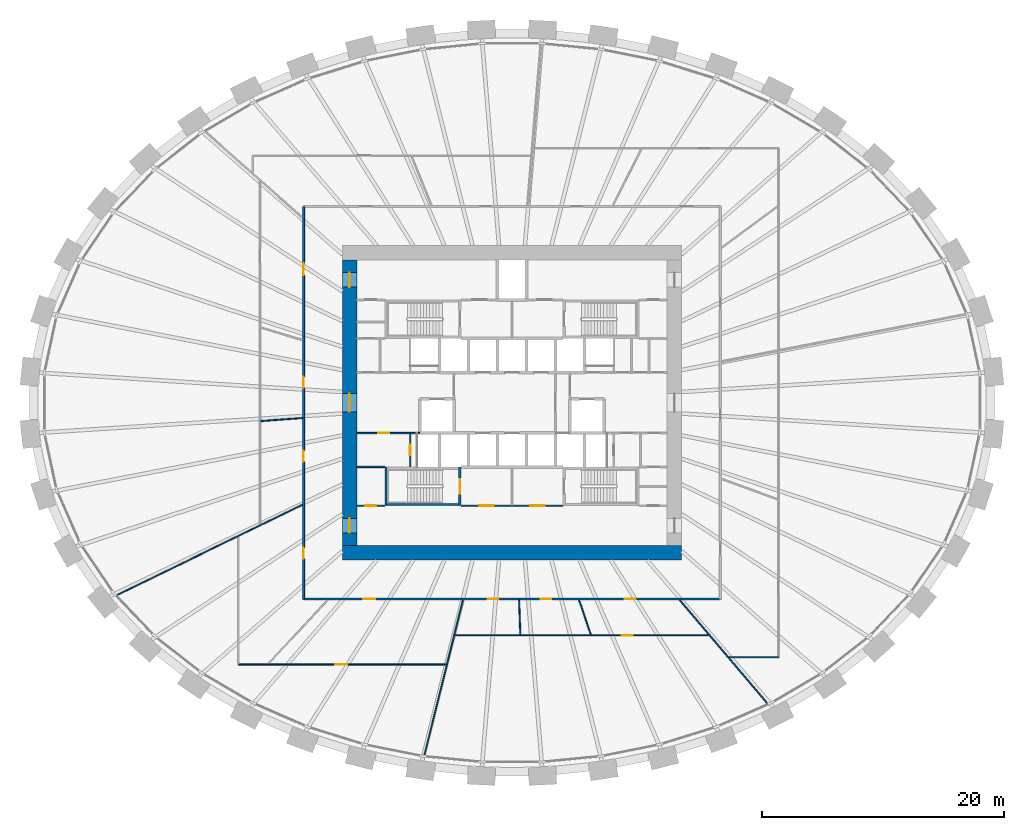
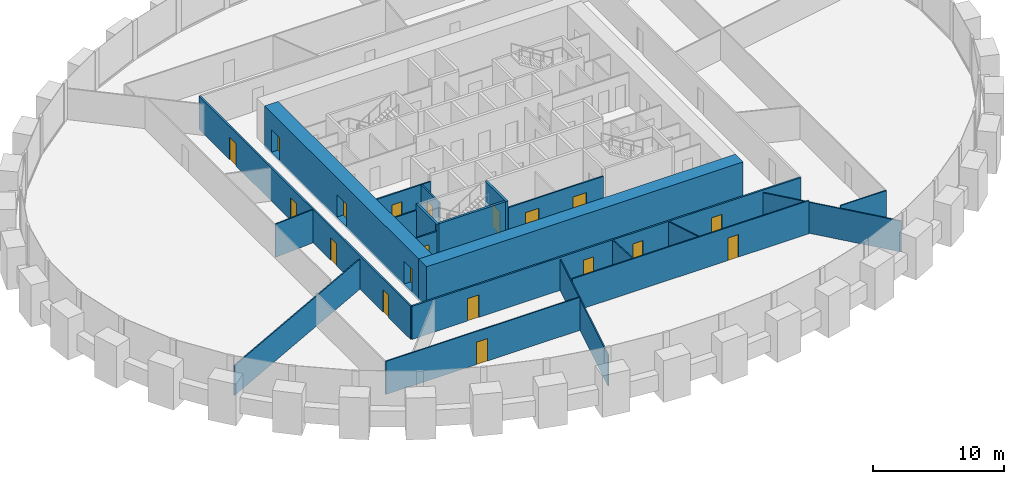
# One storey, part 6 of 10: 21 walls, 19 doors, 19 openings.
"""IFC4 building model written with IfcOpenShell, lengths in metres."""

from ifc_helpers import new_model, si_unit, direction, frame, frame_2d, origin, place, context, subcontext, project, spatial, rectangle, extrude, source, transform, mapped, material, layer, layer_set, type_object, element, fill, save


model = new_model("IFC4")

# Units and contexts
model_context = context("Model", 3, precision=1e-05, world=origin(), true_north=direction((0.0, 1.0)))
body_context = subcontext(model_context, "Body", "Model", "MODEL_VIEW")
ifc_project = project(units=[si_unit("LENGTHUNIT", "METRE"), si_unit("AREAUNIT", "SQUARE_METRE"), si_unit("VOLUMEUNIT", "CUBIC_METRE"), si_unit("PLANEANGLEUNIT", "RADIAN"), si_unit("MASSUNIT", "GRAM", prefix="KILO")], contexts=[model_context])

# Site, building, storey
site_placement = place(None, origin())
site = spatial("IfcSite", under=ifc_project, at=site_placement, CompositionType="ELEMENT")
building_placement = place(site_placement, origin())
building = spatial("IfcBuilding", under=site, at=building_placement, Name="Embergate Tower", CompositionType="ELEMENT")
storey_placement = place(building_placement, frame((0.0, 0.0, 117.199951171875)))
storey = spatial("IfcBuildingStorey", under=building, at=storey_placement, Name="L25", CompositionType="ELEMENT", Elevation=117.199951171875)

# Wall
ifc_material_1 = material(Name="Concrete C80", Category="concrete")
ifc_layer_1 = layer(ifc_material_1, 1.199951171875)
ifc_layer_set_1 = layer_set([ifc_layer_1], Name="Concrete C80")
wall_type_1 = type_object("IfcWallType", Name="Core outer wall C80 1200", PredefinedType="SHEAR", material=ifc_layer_set_1)
shared_shape_1 = source(origin(), body_context, "Body", "SweptSolid", [
    extrude(rectangle(XDim=28.0, YDim=1.199951171875, at=frame_2d((14.0, 0.0))), origin(), (0.0, 0.0, 1.0), 3.89990234375),
])
wall_1_placement = place(storey_placement, frame((-14.0, -12.39990234375, -0.199951171875), z_axis=(0.0, 0.0, 1.0), x_axis=(1.0, 0.0, 0.0)))
element("IfcWall", 1, at=wall_1_placement, inside=storey, type_object=wall_type_1, Name="CW-L25-S", PredefinedType="SHEAR", context=body_context, shape_type="MappedRepresentation", body=[
    mapped(shared_shape_1, transform((0.0, 0.0, 0.0))),
])

# Wall, openings, doors
shared_shape_2 = source(origin(), body_context, "Body", "SweptSolid", [
    extrude(rectangle(XDim=23.60009765625, YDim=1.199951171875, at=frame_2d((11.800048828125, 0.0))), origin(), (0.0, 0.0, 1.0), 3.89990234375),
])
wall_2_placement = place(storey_placement, frame((-13.39990234375, -11.800048828125, -0.199951171875), z_axis=(0.0, 0.0, 1.0), x_axis=(0.0, 1.0, 0.0)))
wall_2 = element("IfcWall", 2, at=wall_2_placement, inside=storey, type_object=wall_type_1, Name="CW-L25-W", PredefinedType="SHEAR", context=body_context, shape_type="MappedRepresentation", body=[
    mapped(shared_shape_2, transform((0.0, 0.0, 0.0))),
])
shared_shape_3 = source(origin(), body_context, "Body", "SweptSolid", [
    extrude(rectangle(XDim=1.199951171875, YDim=2.10009765625, at=frame_2d((0.60009765625, 1.050048828125))), frame((0.0, 0.60986328125, 0.0), z_axis=(0.0, -1.0, 0.0), x_axis=(1.0, 0.0, 0.0)), (0.0, 0.0, 1.0), 1.219970703125),
])
opening_1_placement = place(wall_2_placement, frame((21.35009765625, 0.0, 0.199951171875)))
opening_1 = element("IfcOpeningElement", 3, at=opening_1_placement, cuts=wall_2, Name="Opening IF-1", PredefinedType="OPENING", context=body_context, shape_type="MappedRepresentation", body=[
    mapped(shared_shape_3, transform((0.0, 0.0, 0.0))),
])
opening_2_placement = place(wall_2_placement, frame((1.050048828125, 0.0, 0.199951171875)))
opening_2 = element("IfcOpeningElement", 4, at=opening_2_placement, cuts=wall_2, Name="Opening IF-1", PredefinedType="OPENING", context=body_context, shape_type="MappedRepresentation", body=[
    mapped(shared_shape_3, transform((0.0, 0.0, 0.0))),
])
shared_shape_4 = source(origin(), body_context, "Body", "SweptSolid", [
    extrude(rectangle(XDim=1.5, YDim=2.10009765625, at=frame_2d((0.75, 1.050048828125))), frame((0.0, 0.60986328125, 0.0), z_axis=(0.0, -1.0, 0.0), x_axis=(1.0, 0.0, 0.0)), (0.0, 0.0, 1.0), 1.219970703125),
])
opening_3_placement = place(wall_2_placement, frame((11.050048828125, 0.0, 0.199951171875)))
opening_3 = element("IfcOpeningElement", 5, at=opening_3_placement, cuts=wall_2, Name="Opening IF-3", PredefinedType="OPENING", context=body_context, shape_type="MappedRepresentation", body=[
    mapped(shared_shape_4, transform((0.0, 0.0, 0.0))),
])
ifc_material_2 = material(Name="Escape fire door 1200")
door_type_1 = type_object("IfcDoorType", Name="Escape fire door 1200", OperationType="SINGLE_SWING_LEFT", PredefinedType="DOOR", material=ifc_material_2)
shared_shape_5 = source(origin(), body_context, "Body", "SweptSolid", [
    extrude(rectangle(XDim=1.199951171875, YDim=2.10009765625, at=frame_2d((0.60009765625, 1.050048828125))), frame((0.0, 0.02490234375, 0.0), z_axis=(0.0, -1.0, 0.0), x_axis=(1.0, 0.0, 0.0)), (0.0, 0.0, 1.0), 0.050048828125),
])
door_1_placement = place(opening_1_placement, origin())
door_1 = element("IfcDoor", 6, at=door_1_placement, inside=storey, type_object=door_type_1, Name="IF-1 door", OperationType="SINGLE_SWING_RIGHT", OverallHeight=2.10009765625, OverallWidth=1.199951171875, PredefinedType="DOOR", context=body_context, shape_type="MappedRepresentation", body=[
    mapped(shared_shape_5, transform((0.0, 0.0, 0.0))),
])
fill(opening_1, door_1)
door_2_placement = place(opening_2_placement, origin())
door_2 = element("IfcDoor", 7, at=door_2_placement, inside=storey, type_object=door_type_1, Name="IF-1 door", OperationType="SINGLE_SWING_LEFT", OverallHeight=2.10009765625, OverallWidth=1.199951171875, PredefinedType="DOOR", context=body_context, shape_type="MappedRepresentation", body=[
    mapped(shared_shape_5, transform((0.0, 0.0, 0.0))),
])
fill(opening_2, door_2)
ifc_material_3 = material(Name="Lobby fire door pair 1500")
door_type_2 = type_object("IfcDoorType", Name="Lobby fire door pair 1500", OperationType="DOUBLE_DOOR_SINGLE_SWING", PredefinedType="DOOR", material=ifc_material_3)
shared_shape_6 = source(origin(), body_context, "Body", "SweptSolid", [
    extrude(rectangle(XDim=1.5, YDim=2.10009765625, at=frame_2d((0.75, 1.050048828125))), frame((0.0, 0.02490234375, 0.0), z_axis=(0.0, -1.0, 0.0), x_axis=(1.0, 0.0, 0.0)), (0.0, 0.0, 1.0), 0.050048828125),
])
door_3_placement = place(opening_3_placement, origin())
door_3 = element("IfcDoor", 8, at=door_3_placement, inside=storey, type_object=door_type_2, Name="IF-3 door", OperationType="DOUBLE_DOOR_SINGLE_SWING", OverallHeight=2.10009765625, OverallWidth=1.5, PredefinedType="DOOR", context=body_context, shape_type="MappedRepresentation", body=[
    mapped(shared_shape_6, transform((0.0, 0.0, 0.0))),
])
fill(opening_3, door_3)

# Wall
ifc_material_4 = material(Name="Concrete C50", Category="concrete")
ifc_layer_2 = layer(ifc_material_4, 0.199951171875)
ifc_layer_set_2 = layer_set([ifc_layer_2], Name="Concrete C50")
wall_type_2 = type_object("IfcWallType", Name="Stair enclosure wall reinforced concrete 250", PredefinedType="SHEAR", material=ifc_layer_set_2)
shared_shape_7 = source(origin(), body_context, "Body", "SweptSolid", [
    extrude(rectangle(XDim=6.300048828125, YDim=0.199951171875, at=frame_2d((3.14990234375, 0.0))), origin(), (0.0, 0.0, 1.0), 3.699951171875),
])
wall_3_placement = place(storey_placement, frame((-10.5, -8.39990234375, 0.0), z_axis=(0.0, 0.0, 1.0), x_axis=(1.0, 0.0, 0.0)))
element("IfcWall", 9, at=wall_3_placement, inside=storey, type_object=wall_type_2, Name="SE-1 wall", PredefinedType="SHEAR", context=body_context, shape_type="MappedRepresentation", body=[
    mapped(shared_shape_7, transform((0.0, 0.0, 0.0))),
])

# Wall, opening, door
ifc_material_5 = material(Name="Core partition blockwork 120")
ifc_layer_3 = layer(ifc_material_5, 0.1201171875)
ifc_layer_set_3 = layer_set([ifc_layer_3], Name="Core partition blockwork 120")
wall_type_3 = type_object("IfcWallType", Name="Core partition blockwork 120", PredefinedType="PARTITIONING", material=ifc_layer_set_3)
shared_shape_8 = source(origin(), body_context, "Body", "SweptSolid", [
    extrude(rectangle(XDim=2.739990234375, YDim=0.1201171875, at=frame_2d((1.3701171875, 0.0))), origin(), (0.0, 0.0, 1.0), 3.10009765625),
])
wall_4_placement = place(storey_placement, frame((-8.39990234375, -2.56005859375, 0.0), z_axis=(0.0, 0.0, 1.0), x_axis=(0.0, -1.0, 0.0)))
wall_4 = element("IfcWall", 10, at=wall_4_placement, inside=storey, type_object=wall_type_3, Name="IP-3 wall", PredefinedType="PARTITIONING", context=body_context, shape_type="MappedRepresentation", body=[
    mapped(shared_shape_8, transform((0.0, 0.0, 0.0))),
])
shared_shape_9 = source(origin(), body_context, "Body", "SweptSolid", [
    extrude(rectangle(XDim=0.89990234375, YDim=2.10009765625, at=frame_2d((0.449951171875, 1.050048828125))), frame((0.0, 0.070068359375, 0.0), z_axis=(0.0, -1.0, 0.0), x_axis=(1.0, 0.0, 0.0)), (0.0, 0.0, 1.0), 0.14013671875),
])
opening_4_placement = place(wall_4_placement, frame((0.889892578125, 0.0, 0.0)))
opening_4 = element("IfcOpeningElement", 11, at=opening_4_placement, cuts=wall_4, Name="Opening ID-1", PredefinedType="OPENING", context=body_context, shape_type="MappedRepresentation", body=[
    mapped(shared_shape_9, transform((0.0, 0.0, 0.0))),
])
ifc_material_6 = material(Name="Interior door 900")
door_type_3 = type_object("IfcDoorType", Name="Interior door 900", OperationType="SINGLE_SWING_LEFT", PredefinedType="DOOR", material=ifc_material_6)
shared_shape_10 = source(origin(), body_context, "Body", "SweptSolid", [
    extrude(rectangle(XDim=0.89990234375, YDim=2.10009765625, at=frame_2d((0.449951171875, 1.050048828125))), frame((0.0, 0.02490234375, 0.0), z_axis=(0.0, -1.0, 0.0), x_axis=(1.0, 0.0, 0.0)), (0.0, 0.0, 1.0), 0.050048828125),
])
door_4_placement = place(opening_4_placement, origin())
door_4 = element("IfcDoor", 12, at=door_4_placement, inside=storey, type_object=door_type_3, Name="ID-1 door", OperationType="SINGLE_SWING_RIGHT", OverallHeight=2.10009765625, OverallWidth=0.89990234375, PredefinedType="DOOR", context=body_context, shape_type="MappedRepresentation", body=[
    mapped(shared_shape_10, transform((0.0, 0.0, 0.0))),
])
fill(opening_4, door_4)

shared_shape_11 = source(origin(), body_context, "Body", "SweptSolid", [
    extrude(rectangle(XDim=5.199951171875, YDim=0.1201171875, at=frame_2d((2.60009765625, 0.0))), origin(), (0.0, 0.0, 1.0), 3.10009765625),
])
wall_5_placement = place(storey_placement, frame((-7.60009765625, -2.5, 0.0), z_axis=(0.0, 0.0, 1.0), x_axis=(-1.0, 0.0, 0.0)))
wall_5 = element("IfcWall", 13, at=wall_5_placement, inside=storey, type_object=wall_type_3, Name="IP-3 wall", PredefinedType="PARTITIONING", context=body_context, shape_type="MappedRepresentation", body=[
    mapped(shared_shape_11, transform((0.0, 0.0, 0.0))),
])
opening_5_placement = place(wall_5_placement, frame((2.550048828125, 0.0, 0.0)))
opening_5 = element("IfcOpeningElement", 14, at=opening_5_placement, cuts=wall_5, Name="Opening ID-1", PredefinedType="OPENING", context=body_context, shape_type="MappedRepresentation", body=[
    mapped(shared_shape_9, transform((0.0, 0.0, 0.0))),
])
door_5_placement = place(opening_5_placement, origin())
door_5 = element("IfcDoor", 15, at=door_5_placement, inside=storey, type_object=door_type_3, Name="ID-1 door", OperationType="SINGLE_SWING_RIGHT", OverallHeight=2.10009765625, OverallWidth=0.89990234375, PredefinedType="DOOR", context=body_context, shape_type="MappedRepresentation", body=[
    mapped(shared_shape_10, transform((0.0, 0.0, 0.0))),
])
fill(opening_5, door_5)

shared_shape_12 = source(origin(), body_context, "Body", "SweptSolid", [
    extrude(rectangle(XDim=3.199951171875, YDim=0.199951171875, at=frame_2d((1.60009765625, 0.0))), origin(), (0.0, 0.0, 1.0), 3.699951171875),
])
wall_6_placement = place(storey_placement, frame((-4.300048828125, -8.5, 0.0), z_axis=(0.0, 0.0, 1.0), x_axis=(0.0, 1.0, 0.0)))
wall_6 = element("IfcWall", 16, at=wall_6_placement, inside=storey, type_object=wall_type_2, Name="SE-1 wall", PredefinedType="SHEAR", context=body_context, shape_type="MappedRepresentation", body=[
    mapped(shared_shape_12, transform((0.0, 0.0, 0.0))),
])
shared_shape_13 = source(origin(), body_context, "Body", "SweptSolid", [
    extrude(rectangle(XDim=1.199951171875, YDim=2.10009765625, at=frame_2d((0.60009765625, 1.050048828125))), frame((0.0, 0.10986328125, 0.0), z_axis=(0.0, -1.0, 0.0), x_axis=(1.0, 0.0, 0.0)), (0.0, 0.0, 1.0), 0.219970703125),
])
opening_6_placement = place(wall_6_placement, frame((1.0, 0.0, 0.0)))
opening_6 = element("IfcOpeningElement", 17, at=opening_6_placement, cuts=wall_6, Name="Opening IF-2", PredefinedType="OPENING", context=body_context, shape_type="MappedRepresentation", body=[
    mapped(shared_shape_13, transform((0.0, 0.0, 0.0))),
])
ifc_material_7 = material(Name="Stair enclosure door 1200")
door_type_4 = type_object("IfcDoorType", Name="Stair enclosure door 1200", OperationType="SINGLE_SWING_LEFT", PredefinedType="DOOR", material=ifc_material_7)
door_6_placement = place(opening_6_placement, origin())
door_6 = element("IfcDoor", 18, at=door_6_placement, inside=storey, type_object=door_type_4, Name="IF-2 door", OperationType="SINGLE_SWING_LEFT", OverallHeight=2.10009765625, OverallWidth=1.199951171875, PredefinedType="DOOR", context=body_context, shape_type="MappedRepresentation", body=[
    mapped(shared_shape_5, transform((0.0, 0.0, 0.0))),
])
fill(opening_6, door_6)

# Wall
wall_7_placement = place(storey_placement, frame((-10.39990234375, -5.300048828125, 0.0), z_axis=(0.0, 0.0, 1.0), x_axis=(0.0, -1.0, 0.0)))
element("IfcWall", 19, at=wall_7_placement, inside=storey, type_object=wall_type_2, Name="SE-1 wall", PredefinedType="SHEAR", context=body_context, shape_type="MappedRepresentation", body=[
    mapped(shared_shape_12, transform((0.0, 0.0, 0.0))),
])

# Wall, openings, doors
shared_shape_14 = source(origin(), body_context, "Body", "SweptSolid", [
    extrude(rectangle(XDim=8.39990234375, YDim=0.1201171875, at=frame_2d((4.199951171875, 0.0))), origin(), (0.0, 0.0, 1.0), 3.10009765625),
])
wall_8_placement = place(storey_placement, frame((-4.199951171875, -8.5, 0.0), z_axis=(0.0, 0.0, 1.0), x_axis=(1.0, 0.0, 0.0)))
wall_8 = element("IfcWall", 20, at=wall_8_placement, inside=storey, type_object=wall_type_3, Name="IP-3 wall", PredefinedType="PARTITIONING", context=body_context, shape_type="MappedRepresentation", body=[
    mapped(shared_shape_14, transform((0.0, 0.0, 0.0))),
])
shared_shape_15 = source(origin(), body_context, "Body", "SweptSolid", [
    extrude(rectangle(XDim=1.199951171875, YDim=2.10009765625, at=frame_2d((0.60009765625, 1.050048828125))), frame((0.0, 0.070068359375, 0.0), z_axis=(0.0, -1.0, 0.0), x_axis=(1.0, 0.0, 0.0)), (0.0, 0.0, 1.0), 0.14013671875),
])
opening_7_placement = place(wall_8_placement, frame((1.5, 0.0, 0.0)))
opening_7 = element("IfcOpeningElement", 21, at=opening_7_placement, cuts=wall_8, Name="Opening IF-3f", PredefinedType="OPENING", context=body_context, shape_type="MappedRepresentation", body=[
    mapped(shared_shape_15, transform((0.0, 0.0, 0.0))),
])
opening_8_placement = place(wall_8_placement, frame((5.699951171875, 0.0, 0.0)))
opening_8 = element("IfcOpeningElement", 22, at=opening_8_placement, cuts=wall_8, Name="Opening IF-3f", PredefinedType="OPENING", context=body_context, shape_type="MappedRepresentation", body=[
    mapped(shared_shape_15, transform((0.0, 0.0, 0.0))),
])
ifc_material_8 = material(Name="Lobby fire door pair 1200")
door_type_5 = type_object("IfcDoorType", Name="Lobby fire door pair 1200", OperationType="DOUBLE_DOOR_SINGLE_SWING", PredefinedType="DOOR", material=ifc_material_8)
door_7_placement = place(opening_7_placement, origin())
door_7 = element("IfcDoor", 23, at=door_7_placement, inside=storey, type_object=door_type_5, Name="IF-3 door", OperationType="DOUBLE_DOOR_SINGLE_SWING", OverallHeight=2.10009765625, OverallWidth=1.199951171875, PredefinedType="DOOR", context=body_context, shape_type="MappedRepresentation", body=[
    mapped(shared_shape_5, transform((0.0, 0.0, 0.0))),
])
fill(opening_7, door_7)
door_8_placement = place(opening_8_placement, origin())
door_8 = element("IfcDoor", 24, at=door_8_placement, inside=storey, type_object=door_type_5, Name="IF-3 door", OperationType="DOUBLE_DOOR_SINGLE_SWING", OverallHeight=2.10009765625, OverallWidth=1.199951171875, PredefinedType="DOOR", context=body_context, shape_type="MappedRepresentation", body=[
    mapped(shared_shape_5, transform((0.0, 0.0, 0.0))),
])
fill(opening_8, door_8)

# Wall, opening, door
shared_shape_16 = source(origin(), body_context, "Body", "SweptSolid", [
    extrude(rectangle(XDim=2.300048828125, YDim=0.1201171875, at=frame_2d((1.14990234375, 0.0))), origin(), (0.0, 0.0, 1.0), 3.10009765625),
])
wall_9_placement = place(storey_placement, frame((-10.5, -8.5, 0.0), z_axis=(0.0, 0.0, 1.0), x_axis=(-1.0, 0.0, 0.0)))
wall_9 = element("IfcWall", 25, at=wall_9_placement, inside=storey, type_object=wall_type_3, Name="IP-3 wall", PredefinedType="PARTITIONING", context=body_context, shape_type="MappedRepresentation", body=[
    mapped(shared_shape_16, transform((0.0, 0.0, 0.0))),
])
opening_9_placement = place(wall_9_placement, frame((0.699951171875, 0.0, 0.0)))
opening_9 = element("IfcOpeningElement", 26, at=opening_9_placement, cuts=wall_9, Name="Opening ID-1", PredefinedType="OPENING", context=body_context, shape_type="MappedRepresentation", body=[
    mapped(shared_shape_9, transform((0.0, 0.0, 0.0))),
])
door_9_placement = place(opening_9_placement, origin())
door_9 = element("IfcDoor", 27, at=door_9_placement, inside=storey, type_object=door_type_3, Name="ID-1 door", OperationType="SINGLE_SWING_LEFT", OverallHeight=2.10009765625, OverallWidth=0.89990234375, PredefinedType="DOOR", context=body_context, shape_type="MappedRepresentation", body=[
    mapped(shared_shape_10, transform((0.0, 0.0, 0.0))),
])
fill(opening_9, door_9)

# Walls
wall_10_placement = place(storey_placement, frame((-12.800048828125, -5.300048828125, 0.0), z_axis=(0.0, 0.0, 1.0), x_axis=(1.0, 0.0, 0.0)))
element("IfcWall", 28, at=wall_10_placement, inside=storey, type_object=wall_type_3, Name="IP-3 wall", PredefinedType="PARTITIONING", context=body_context, shape_type="MappedRepresentation", body=[
    mapped(shared_shape_16, transform((0.0, 0.0, 0.0))),
])
ifc_material_9 = material(Name="Partition dry-lined 100 wet")
ifc_layer_4 = layer(ifc_material_9, 0.10009765625)
ifc_layer_set_4 = layer_set([ifc_layer_4], Name="Partition dry-lined 100 wet")
wall_type_4 = type_object("IfcWallType", Name="Partition dry-lined 100 wet", PredefinedType="PLUMBINGWALL", material=ifc_layer_set_4)
shared_shape_17 = source(origin(), body_context, "Body", "SweptSolid", [
    extrude(rectangle(XDim=2.876953125, YDim=0.10009765625, at=frame_2d((1.4384765625, 0.0))), origin(), (0.0, 0.0, 1.0), 3.10009765625),
])
wall_11_placement = place(storey_placement, frame((0.5849609375, -16.27490234375, 0.0), z_axis=(0.0, 0.0, 1.0), x_axis=(0.035812610105, -0.999358522732, 0.0)))
element("IfcWall", 29, at=wall_11_placement, inside=storey, type_object=wall_type_4, Name="IP-1 wall", PredefinedType="PLUMBINGWALL", context=body_context, shape_type="MappedRepresentation", body=[
    mapped(shared_shape_17, transform((0.0, 0.0, 0.0))),
])

# Wall, openings, doors
ifc_material_10 = material(Name="Corridor wall dry-lined 150")
ifc_layer_5 = layer(ifc_material_10, 0.14990234375)
ifc_layer_set_5 = layer_set([ifc_layer_5], Name="Corridor wall dry-lined 150")
wall_type_5 = type_object("IfcWallType", Name="Corridor wall dry-lined 150", PredefinedType="PARTITIONING", material=ifc_layer_set_5)
shared_shape_18 = source(origin(), body_context, "Body", "SweptSolid", [
    extrude(rectangle(XDim=34.39990234375, YDim=0.14990234375, at=frame_2d((17.199951171875, 0.0))), origin(), (0.0, 0.0, 1.0), 3.10009765625),
])
wall_12_placement = place(storey_placement, frame((17.199951171875, -16.199951171875, 0.0), z_axis=(0.0, 0.0, 1.0), x_axis=(-1.0, 0.0, 0.0)))
wall_12 = element("IfcWall", 30, at=wall_12_placement, inside=storey, type_object=wall_type_5, Name="IP-2 wall", PredefinedType="PARTITIONING", context=body_context, shape_type="MappedRepresentation", body=[
    mapped(shared_shape_18, transform((0.0, 0.0, 0.0))),
])
shared_shape_19 = source(origin(), body_context, "Body", "SweptSolid", [
    extrude(rectangle(XDim=1.0, YDim=2.10009765625, at=frame_2d((0.5, 1.050048828125))), frame((0.0, 0.0849609375, 0.0), z_axis=(0.0, -1.0, 0.0), x_axis=(1.0, 0.0, 0.0)), (0.0, 0.0, 1.0), 0.169921875),
])
opening_10_placement = place(wall_12_placement, frame((28.468017578125, 0.0, 0.0)))
opening_10 = element("IfcOpeningElement", 31, at=opening_10_placement, cuts=wall_12, Name="Opening ID-2", PredefinedType="OPENING", context=body_context, shape_type="MappedRepresentation", body=[
    mapped(shared_shape_19, transform((0.0, 0.0, 0.0))),
])
shared_shape_20 = source(origin(), body_context, "Body", "SweptSolid", [
    extrude(rectangle(XDim=0.89990234375, YDim=2.10009765625, at=frame_2d((0.449951171875, 1.050048828125))), frame((0.0, 0.0849609375, 0.0), z_axis=(0.0, -1.0, 0.0), x_axis=(1.0, 0.0, 0.0)), (0.0, 0.0, 1.0), 0.169921875),
])
opening_11_placement = place(wall_12_placement, frame((18.31689453125, 0.0, 0.0)))
opening_11 = element("IfcOpeningElement", 32, at=opening_11_placement, cuts=wall_12, Name="Opening IF-1c", PredefinedType="OPENING", context=body_context, shape_type="MappedRepresentation", body=[
    mapped(shared_shape_20, transform((0.0, 0.0, 0.0))),
])
opening_12_placement = place(wall_12_placement, frame((13.946044921875, 0.0, 0.0)))
opening_12 = element("IfcOpeningElement", 33, at=opening_12_placement, cuts=wall_12, Name="Opening IF-1c", PredefinedType="OPENING", context=body_context, shape_type="MappedRepresentation", body=[
    mapped(shared_shape_20, transform((0.0, 0.0, 0.0))),
])
opening_13_placement = place(wall_12_placement, frame((6.97998046875, 0.0, 0.0)))
opening_13 = element("IfcOpeningElement", 34, at=opening_13_placement, cuts=wall_12, Name="Opening IF-1c", PredefinedType="OPENING", context=body_context, shape_type="MappedRepresentation", body=[
    mapped(shared_shape_20, transform((0.0, 0.0, 0.0))),
])
ifc_material_11 = material(Name="Escape fire door 900")
door_type_6 = type_object("IfcDoorType", Name="Escape fire door 900", OperationType="SINGLE_SWING_LEFT", PredefinedType="DOOR", material=ifc_material_11)
door_10_placement = place(opening_11_placement, origin())
door_10 = element("IfcDoor", 35, at=door_10_placement, inside=storey, type_object=door_type_6, Name="IF-1 door", OperationType="SINGLE_SWING_RIGHT", OverallHeight=2.10009765625, OverallWidth=0.89990234375, PredefinedType="DOOR", context=body_context, shape_type="MappedRepresentation", body=[
    mapped(shared_shape_10, transform((0.0, 0.0, 0.0))),
])
fill(opening_11, door_10)
door_11_placement = place(opening_12_placement, origin())
door_11 = element("IfcDoor", 36, at=door_11_placement, inside=storey, type_object=door_type_6, Name="IF-1 door", OperationType="SINGLE_SWING_RIGHT", OverallHeight=2.10009765625, OverallWidth=0.89990234375, PredefinedType="DOOR", context=body_context, shape_type="MappedRepresentation", body=[
    mapped(shared_shape_10, transform((0.0, 0.0, 0.0))),
])
fill(opening_12, door_11)
door_12_placement = place(opening_13_placement, origin())
door_12 = element("IfcDoor", 37, at=door_12_placement, inside=storey, type_object=door_type_6, Name="IF-1 door", OperationType="SINGLE_SWING_LEFT", OverallHeight=2.10009765625, OverallWidth=0.89990234375, PredefinedType="DOOR", context=body_context, shape_type="MappedRepresentation", body=[
    mapped(shared_shape_10, transform((0.0, 0.0, 0.0))),
])
fill(opening_13, door_12)
ifc_material_12 = material(Name="Interior door 1000")
door_type_7 = type_object("IfcDoorType", Name="Interior door 1000", OperationType="SINGLE_SWING_LEFT", PredefinedType="DOOR", material=ifc_material_12)
shared_shape_21 = source(origin(), body_context, "Body", "SweptSolid", [
    extrude(rectangle(XDim=1.0, YDim=2.10009765625, at=frame_2d((0.5, 1.050048828125))), frame((0.0, 0.02490234375, 0.0), z_axis=(0.0, -1.0, 0.0), x_axis=(1.0, 0.0, 0.0)), (0.0, 0.0, 1.0), 0.050048828125),
])
door_13_placement = place(opening_10_placement, origin())
door_13 = element("IfcDoor", 38, at=door_13_placement, inside=storey, type_object=door_type_7, Name="ID-2 door", OperationType="SINGLE_SWING_RIGHT", OverallHeight=2.10009765625, OverallWidth=1.0, PredefinedType="DOOR", context=body_context, shape_type="MappedRepresentation", body=[
    mapped(shared_shape_21, transform((0.0, 0.0, 0.0))),
])
fill(opening_10, door_13)

shared_shape_22 = source(origin(), body_context, "Body", "SweptSolid", [
    extrude(rectangle(XDim=32.39990234375, YDim=0.14990234375, at=frame_2d((16.199951171875, 0.0))), origin(), (0.0, 0.0, 1.0), 3.10009765625),
])
wall_13_placement = place(storey_placement, frame((-17.199951171875, -16.199951171875, 0.0), z_axis=(0.0, 0.0, 1.0), x_axis=(0.0, 1.0, 0.0)))
wall_13 = element("IfcWall", 39, at=wall_13_placement, inside=storey, type_object=wall_type_5, Name="IP-2 wall", PredefinedType="PARTITIONING", context=body_context, shape_type="MappedRepresentation", body=[
    mapped(shared_shape_22, transform((0.0, 0.0, 0.0))),
])
opening_14_placement = place(wall_13_placement, frame((3.3369140625, 0.0, 0.0)))
opening_14 = element("IfcOpeningElement", 40, at=opening_14_placement, cuts=wall_13, Name="Opening IF-1c", PredefinedType="OPENING", context=body_context, shape_type="MappedRepresentation", body=[
    mapped(shared_shape_20, transform((0.0, 0.0, 0.0))),
])
opening_15_placement = place(wall_13_placement, frame((26.72509765625, 0.0, 0.0)))
opening_15 = element("IfcOpeningElement", 41, at=opening_15_placement, cuts=wall_13, Name="Opening ID-2", PredefinedType="OPENING", context=body_context, shape_type="MappedRepresentation", body=[
    mapped(shared_shape_19, transform((0.0, 0.0, 0.0))),
])
opening_16_placement = place(wall_13_placement, frame((17.4541015625, 0.0, 0.0)))
opening_16 = element("IfcOpeningElement", 42, at=opening_16_placement, cuts=wall_13, Name="Opening IF-1c", PredefinedType="OPENING", context=body_context, shape_type="MappedRepresentation", body=[
    mapped(shared_shape_20, transform((0.0, 0.0, 0.0))),
])
opening_17_placement = place(wall_13_placement, frame((11.330078125, 0.0, 0.0)))
opening_17 = element("IfcOpeningElement", 43, at=opening_17_placement, cuts=wall_13, Name="Opening IF-1c", PredefinedType="OPENING", context=body_context, shape_type="MappedRepresentation", body=[
    mapped(shared_shape_20, transform((0.0, 0.0, 0.0))),
])
door_14_placement = place(opening_14_placement, origin())
door_14 = element("IfcDoor", 44, at=door_14_placement, inside=storey, type_object=door_type_6, Name="IF-1 door", OperationType="SINGLE_SWING_LEFT", OverallHeight=2.10009765625, OverallWidth=0.89990234375, PredefinedType="DOOR", context=body_context, shape_type="MappedRepresentation", body=[
    mapped(shared_shape_10, transform((0.0, 0.0, 0.0))),
])
fill(opening_14, door_14)
door_15_placement = place(opening_16_placement, origin())
door_15 = element("IfcDoor", 45, at=door_15_placement, inside=storey, type_object=door_type_6, Name="IF-1 door", OperationType="SINGLE_SWING_RIGHT", OverallHeight=2.10009765625, OverallWidth=0.89990234375, PredefinedType="DOOR", context=body_context, shape_type="MappedRepresentation", body=[
    mapped(shared_shape_10, transform((0.0, 0.0, 0.0))),
])
fill(opening_16, door_15)
door_16_placement = place(opening_17_placement, origin())
door_16 = element("IfcDoor", 46, at=door_16_placement, inside=storey, type_object=door_type_6, Name="IF-1 door", OperationType="SINGLE_SWING_LEFT", OverallHeight=2.10009765625, OverallWidth=0.89990234375, PredefinedType="DOOR", context=body_context, shape_type="MappedRepresentation", body=[
    mapped(shared_shape_10, transform((0.0, 0.0, 0.0))),
])
fill(opening_17, door_16)
door_17_placement = place(opening_15_placement, origin())
door_17 = element("IfcDoor", 47, at=door_17_placement, inside=storey, type_object=door_type_7, Name="ID-2 door", OperationType="SINGLE_SWING_RIGHT", OverallHeight=2.10009765625, OverallWidth=1.0, PredefinedType="DOOR", context=body_context, shape_type="MappedRepresentation", body=[
    mapped(shared_shape_21, transform((0.0, 0.0, 0.0))),
])
fill(opening_15, door_17)

# Wall
ifc_material_13 = material(Name="Partition dry-lined 100")
ifc_layer_6 = layer(ifc_material_13, 0.10009765625)
ifc_layer_set_6 = layer_set([ifc_layer_6], Name="Partition dry-lined 100")
wall_type_6 = type_object("IfcWallType", Name="Partition dry-lined 100", PredefinedType="PARTITIONING", material=ifc_layer_set_6)
shared_shape_23 = source(origin(), body_context, "Body", "SweptSolid", [
    extrude(rectangle(XDim=17.1201171875, YDim=0.10009765625, at=frame_2d((8.56005859375, 0.0))), origin(), (0.0, 0.0, 1.0), 2.800048828125),
])
wall_14_placement = place(storey_placement, frame((-32.68994140625, -15.9140625, 0.0), z_axis=(0.0, 0.0, 1.0), x_axis=(0.899103141394, 0.437736840049, 0.0)))
element("IfcWall", 48, at=wall_14_placement, inside=storey, type_object=wall_type_6, Name="IP-1 wall", PredefinedType="PARTITIONING", context=body_context, shape_type="MappedRepresentation", body=[
    mapped(shared_shape_23, transform((0.0, 0.0, 0.0))),
])

# Wall, opening, door
shared_shape_24 = source(origin(), body_context, "Body", "SweptSolid", [
    extrude(rectangle(XDim=17.168212890625, YDim=0.10009765625, at=frame_2d((8.583984375, 0.0))), origin(), (0.0, 0.0, 1.0), 3.10009765625),
])
wall_15_placement = place(storey_placement, frame((-22.60009765625, -21.60009765625, 0.0), z_axis=(0.0, 0.0, 1.0), x_axis=(1.0, 0.0, 0.0)))
wall_15 = element("IfcWall", 49, at=wall_15_placement, inside=storey, type_object=wall_type_6, Name="IP-1 wall", PredefinedType="PARTITIONING", context=body_context, shape_type="MappedRepresentation", body=[
    mapped(shared_shape_24, transform((0.0, 0.0, 0.0))),
])
shared_shape_25 = source(origin(), body_context, "Body", "SweptSolid", [
    extrude(rectangle(XDim=1.0, YDim=2.10009765625, at=frame_2d((0.5, 1.050048828125))), frame((0.0, 0.06005859375, 0.0), z_axis=(0.0, -1.0, 0.0), x_axis=(1.0, 0.0, 0.0)), (0.0, 0.0, 1.0), 0.1201171875),
])
opening_18_placement = place(wall_15_placement, frame((8.00390625, 0.0, 0.0)))
opening_18 = element("IfcOpeningElement", 50, at=opening_18_placement, cuts=wall_15, Name="Opening ID-2", PredefinedType="OPENING", context=body_context, shape_type="MappedRepresentation", body=[
    mapped(shared_shape_25, transform((0.0, 0.0, 0.0))),
])
door_18_placement = place(opening_18_placement, origin())
door_18 = element("IfcDoor", 51, at=door_18_placement, inside=storey, type_object=door_type_7, Name="ID-2 door", OperationType="SINGLE_SWING_RIGHT", OverallHeight=2.10009765625, OverallWidth=1.0, PredefinedType="DOOR", context=body_context, shape_type="MappedRepresentation", body=[
    mapped(shared_shape_21, transform((0.0, 0.0, 0.0))),
])
fill(opening_18, door_18)

# Wall
shared_shape_26 = source(origin(), body_context, "Body", "SweptSolid", [
    extrude(rectangle(XDim=13.279052734375, YDim=0.10009765625, at=frame_2d((6.6396484375, 0.0))), origin(), (0.0, 0.0, 1.0), 2.900146484375),
])
wall_16_placement = place(storey_placement, frame((-7.2509765625, -29.174072265625, 0.0), z_axis=(0.0, 0.0, 1.0), x_axis=(0.24119866474, 0.970475761742, 0.0)))
element("IfcWall", 52, at=wall_16_placement, inside=storey, type_object=wall_type_6, Name="IP-1 wall", PredefinedType="PARTITIONING", context=body_context, shape_type="MappedRepresentation", body=[
    mapped(shared_shape_26, transform((0.0, 0.0, 0.0))),
])

# Wall, opening, door
shared_shape_27 = source(origin(), body_context, "Body", "SweptSolid", [
    extrude(rectangle(XDim=20.9130859375, YDim=0.10009765625, at=frame_2d((10.45654296875, 0.0))), origin(), (0.0, 0.0, 1.0), 3.10009765625),
])
wall_17_placement = place(storey_placement, frame((16.205078125, -19.199951171875, 0.0), z_axis=(0.0, 0.0, 1.0), x_axis=(-1.0, 0.0, 0.0)))
wall_17 = element("IfcWall", 53, at=wall_17_placement, inside=storey, type_object=wall_type_4, Name="IP-1 wall", PredefinedType="PLUMBINGWALL", context=body_context, shape_type="MappedRepresentation", body=[
    mapped(shared_shape_27, transform((0.0, 0.0, 0.0))),
])
shared_shape_28 = source(origin(), body_context, "Body", "SweptSolid", [
    extrude(rectangle(XDim=0.89990234375, YDim=2.10009765625, at=frame_2d((0.449951171875, 1.050048828125))), frame((0.0, 0.06005859375, 0.0), z_axis=(0.0, -1.0, 0.0), x_axis=(1.0, 0.0, 0.0)), (0.0, 0.0, 1.0), 0.1201171875),
])
opening_19_placement = place(wall_17_placement, frame((6.242919921875, 0.0, 0.0)))
opening_19 = element("IfcOpeningElement", 54, at=opening_19_placement, cuts=wall_17, Name="Opening ID-1", PredefinedType="OPENING", context=body_context, shape_type="MappedRepresentation", body=[
    mapped(shared_shape_28, transform((0.0, 0.0, 0.0))),
])
door_19_placement = place(opening_19_placement, origin())
door_19 = element("IfcDoor", 55, at=door_19_placement, inside=storey, type_object=door_type_3, Name="ID-1 door", OperationType="SINGLE_SWING_LEFT", OverallHeight=2.10009765625, OverallWidth=0.89990234375, PredefinedType="DOOR", context=body_context, shape_type="MappedRepresentation", body=[
    mapped(shared_shape_10, transform((0.0, 0.0, 0.0))),
])
fill(opening_19, door_19)

# Walls
shared_shape_29 = source(origin(), body_context, "Body", "SweptSolid", [
    extrude(rectangle(XDim=3.002685546875, YDim=0.10009765625, at=frame_2d((1.50146484375, 0.0))), origin(), (0.0, 0.0, 1.0), 3.10009765625),
])
wall_18_placement = place(storey_placement, frame((5.535888671875, -16.291015625, 0.0), z_axis=(0.0, 0.0, 1.0), x_axis=(0.321735098202, -0.946829724177, 0.0)))
element("IfcWall", 56, at=wall_18_placement, inside=storey, type_object=wall_type_4, Name="IP-1 wall", PredefinedType="PLUMBINGWALL", context=body_context, shape_type="MappedRepresentation", body=[
    mapped(shared_shape_29, transform((0.0, 0.0, 0.0))),
])
shared_shape_30 = source(origin(), body_context, "Body", "SweptSolid", [
    extrude(rectangle(XDim=11.248046875, YDim=0.10009765625, at=frame_2d((5.6240234375, 0.0))), origin(), (0.0, 0.0, 1.0), 2.900146484375),
])
wall_19_placement = place(storey_placement, frame((21.137939453125, -24.87890625, 0.0), z_axis=(0.0, 0.0, 1.0), x_axis=(-0.64748018312, 0.762082287202, 0.0)))
element("IfcWall", 57, at=wall_19_placement, inside=storey, type_object=wall_type_4, Name="IP-1 wall", PredefinedType="PLUMBINGWALL", context=body_context, shape_type="MappedRepresentation", body=[
    mapped(shared_shape_30, transform((0.0, 0.0, 0.0))),
])
shared_shape_31 = source(origin(), body_context, "Body", "SweptSolid", [
    extrude(rectangle(XDim=4.049072265625, YDim=0.10009765625, at=frame_2d((2.0244140625, 0.0))), origin(), (0.0, 0.0, 1.0), 3.10009765625),
])
wall_20_placement = place(storey_placement, frame((22.0, -21.0, 0.0), z_axis=(0.0, 0.0, 1.0), x_axis=(-1.0, 0.0, 0.0)))
element("IfcWall", 58, at=wall_20_placement, inside=storey, type_object=wall_type_6, Name="IP-1 wall", PredefinedType="PARTITIONING", context=body_context, shape_type="MappedRepresentation", body=[
    mapped(shared_shape_31, transform((0.0, 0.0, 0.0))),
])
shared_shape_32 = source(origin(), body_context, "Body", "SweptSolid", [
    extrude(rectangle(XDim=3.484375, YDim=0.10009765625, at=frame_2d((1.7421875, 0.0))), origin(), (0.0, 0.0, 1.0), 3.10009765625),
])
wall_21_placement = place(storey_placement, frame((-17.27490234375, -1.258056640625, 0.0), z_axis=(0.0, 0.0, 1.0), x_axis=(-0.997341429599, -0.072870246367, 0.0)))
element("IfcWall", 59, at=wall_21_placement, inside=storey, type_object=wall_type_6, Name="IP-1 wall", PredefinedType="PARTITIONING", context=body_context, shape_type="MappedRepresentation", body=[
    mapped(shared_shape_32, transform((0.0, 0.0, 0.0))),
])

save(model, "model.ifc")
